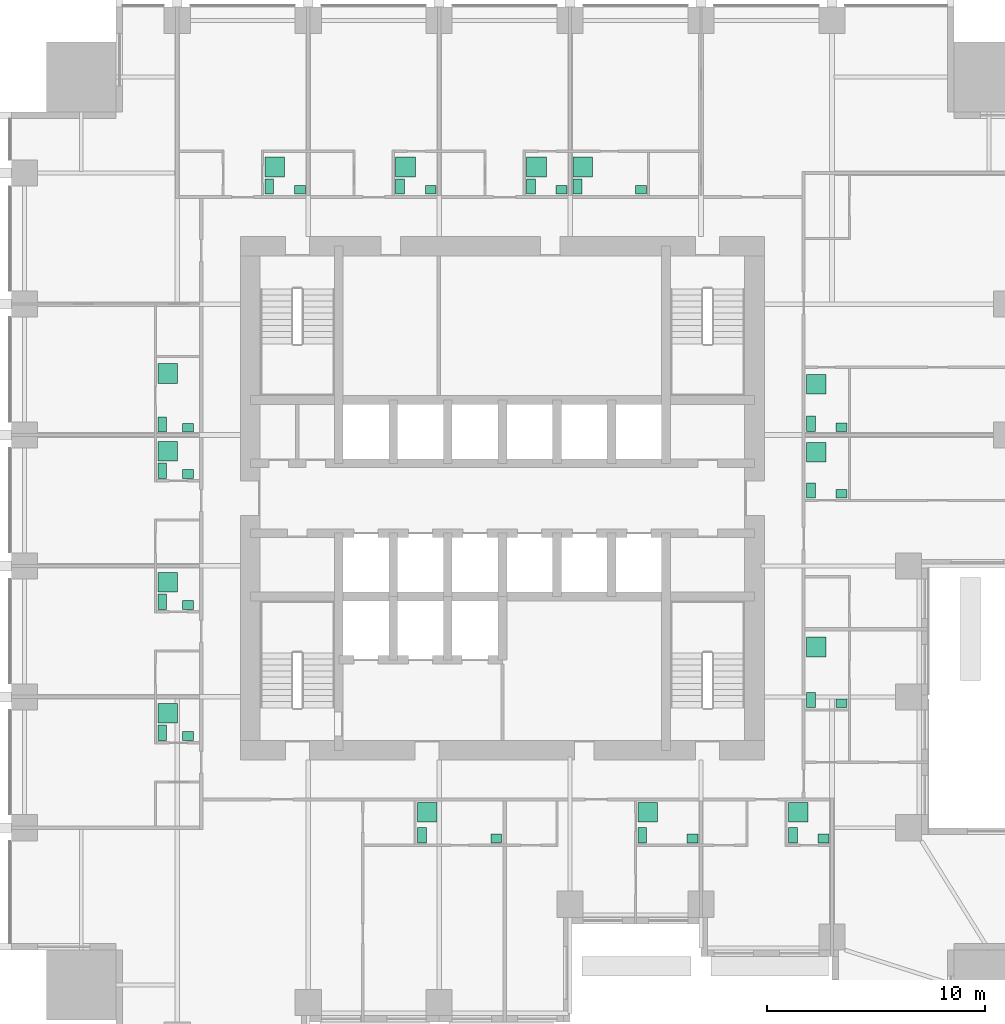
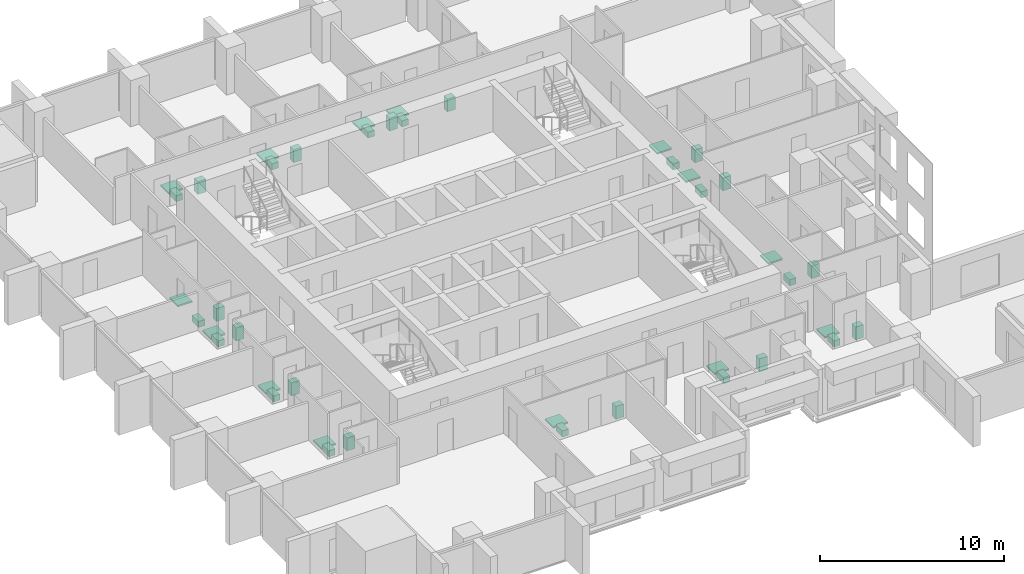
# One storey, part 10 of 10: 42 sanitary terminals.
"""IFC4 building model written with IfcOpenShell, lengths in metres."""

from ifc_helpers import new_model, si_unit, direction, frame, origin, origin_2d, place, context, subcontext, project, spatial, rectangle, extrude, element, save


model = new_model("IFC4")

# Units and contexts
model_context = context("Model", 3, precision=1e-05, world=origin(), true_north=direction((0.0, 1.0)))
body_context = subcontext(model_context, "Body", "Model", "MODEL_VIEW")
ifc_project = project(units=[si_unit("LENGTHUNIT", "METRE"), si_unit("AREAUNIT", "SQUARE_METRE"), si_unit("VOLUMEUNIT", "CUBIC_METRE"), si_unit("PLANEANGLEUNIT", "RADIAN"), si_unit("MASSUNIT", "GRAM", prefix="KILO")], contexts=[model_context])

# Site, building, storey
site_placement = place(None, origin())
site = spatial("IfcSite", under=ifc_project, at=site_placement, CompositionType="ELEMENT")
building_placement = place(site_placement, origin())
building = spatial("IfcBuilding", under=site, at=building_placement, Name="Amberfall Residences", CompositionType="ELEMENT")
storey_placement = place(building_placement, frame((0.0, 0.0, 30.10009765625)))
storey = spatial("IfcBuildingStorey", under=building, at=storey_placement, Name="L07", CompositionType="ELEMENT", Elevation=30.10009765625)

# Sanitary terminals
sanitary_terminal_1_placement = place(storey_placement, frame((70.81005859375, 30.06005859375, 0.0), z_axis=(0.0, 0.0, 1.0), x_axis=(1.0, 0.0, 0.0)))
element("IfcSanitaryTerminal", 1, at=sanitary_terminal_1_placement, inside=storey, Name="Water closet 0701", PredefinedType="TOILETPAN", context=body_context, shape_type="SweptSolid", body=[
    extrude(rectangle(XDim=0.39990234375, YDim=0.699951171875, at=origin_2d()), origin(), (0.0, 0.0, 1.0), 0.39990234375),
])
sanitary_terminal_2_placement = place(storey_placement, frame((74.215087890625, 29.909912109375, -0.000244140625), z_axis=(0.0, 0.0, 1.0), x_axis=(1.0, 0.0, 0.0)))
element("IfcSanitaryTerminal", 2, at=sanitary_terminal_2_placement, inside=storey, Name="Basin 0701", PredefinedType="WASHHANDBASIN", context=body_context, shape_type="SweptSolid", body=[
    extrude(rectangle(XDim=0.5, YDim=0.39990234375, at=origin_2d()), origin(), (0.0, 0.0, 1.0), 0.85009765625),
])
sanitary_terminal_3_placement = place(storey_placement, frame((71.06005859375, 31.114990234375, -0.000244140625), z_axis=(0.0, 0.0, 1.0), x_axis=(1.0, 0.0, 0.0)))
element("IfcSanitaryTerminal", 3, at=sanitary_terminal_3_placement, inside=storey, Name="Shower tray 0701", PredefinedType="SHOWER", context=body_context, shape_type="SweptSolid", body=[
    extrude(rectangle(XDim=0.89990234375, YDim=0.89990234375, at=origin_2d()), origin(), (0.0, 0.0, 1.0), 0.10009765625),
])
sanitary_terminal_4_placement = place(storey_placement, frame((80.909912109375, 30.06005859375, 0.0), z_axis=(0.0, 0.0, 1.0), x_axis=(1.0, 0.0, 0.0)))
element("IfcSanitaryTerminal", 4, at=sanitary_terminal_4_placement, inside=storey, Name="Water closet 0702", PredefinedType="TOILETPAN", context=body_context, shape_type="SweptSolid", body=[
    extrude(rectangle(XDim=0.39990234375, YDim=0.699951171875, at=origin_2d()), origin(), (0.0, 0.0, 1.0), 0.39990234375),
])
sanitary_terminal_5_placement = place(storey_placement, frame((83.215087890625, 29.909912109375, -0.000244140625), z_axis=(0.0, 0.0, 1.0), x_axis=(1.0, 0.0, 0.0)))
element("IfcSanitaryTerminal", 5, at=sanitary_terminal_5_placement, inside=storey, Name="Basin 0702", PredefinedType="WASHHANDBASIN", context=body_context, shape_type="SweptSolid", body=[
    extrude(rectangle(XDim=0.5, YDim=0.39990234375, at=origin_2d()), origin(), (0.0, 0.0, 1.0), 0.85009765625),
])
sanitary_terminal_6_placement = place(storey_placement, frame((81.159912109375, 31.114990234375, -0.000244140625), z_axis=(0.0, 0.0, 1.0), x_axis=(1.0, 0.0, 0.0)))
element("IfcSanitaryTerminal", 6, at=sanitary_terminal_6_placement, inside=storey, Name="Shower tray 0702", PredefinedType="SHOWER", context=body_context, shape_type="SweptSolid", body=[
    extrude(rectangle(XDim=0.89990234375, YDim=0.89990234375, at=origin_2d()), origin(), (0.0, 0.0, 1.0), 0.10009765625),
])
sanitary_terminal_7_placement = place(storey_placement, frame((87.81005859375, 30.06005859375, 0.0), z_axis=(0.0, 0.0, 1.0), x_axis=(1.0, 0.0, 0.0)))
element("IfcSanitaryTerminal", 7, at=sanitary_terminal_7_placement, inside=storey, Name="Water closet 0703", PredefinedType="TOILETPAN", context=body_context, shape_type="SweptSolid", body=[
    extrude(rectangle(XDim=0.39990234375, YDim=0.699951171875, at=origin_2d()), origin(), (0.0, 0.0, 1.0), 0.39990234375),
])
sanitary_terminal_8_placement = place(storey_placement, frame((89.215087890625, 29.909912109375, -0.000244140625), z_axis=(0.0, 0.0, 1.0), x_axis=(1.0, 0.0, 0.0)))
element("IfcSanitaryTerminal", 8, at=sanitary_terminal_8_placement, inside=storey, Name="Basin 0703", PredefinedType="WASHHANDBASIN", context=body_context, shape_type="SweptSolid", body=[
    extrude(rectangle(XDim=0.5, YDim=0.39990234375, at=origin_2d()), origin(), (0.0, 0.0, 1.0), 0.85009765625),
])
sanitary_terminal_9_placement = place(storey_placement, frame((88.06005859375, 31.114990234375, -0.000244140625), z_axis=(0.0, 0.0, 1.0), x_axis=(1.0, 0.0, 0.0)))
element("IfcSanitaryTerminal", 9, at=sanitary_terminal_9_placement, inside=storey, Name="Shower tray 0703", PredefinedType="SHOWER", context=body_context, shape_type="SweptSolid", body=[
    extrude(rectangle(XDim=0.89990234375, YDim=0.89990234375, at=origin_2d()), origin(), (0.0, 0.0, 1.0), 0.10009765625),
])
sanitary_terminal_10_placement = place(storey_placement, frame((88.635009765625, 36.260009765625, 0.0), z_axis=(0.0, 0.0, 1.0), x_axis=(1.0, 0.0, 0.0)))
element("IfcSanitaryTerminal", 10, at=sanitary_terminal_10_placement, inside=storey, Name="Water closet 0704", PredefinedType="TOILETPAN", context=body_context, shape_type="SweptSolid", body=[
    extrude(rectangle(XDim=0.39990234375, YDim=0.699951171875, at=origin_2d()), origin(), (0.0, 0.0, 1.0), 0.39990234375),
])
sanitary_terminal_11_placement = place(storey_placement, frame((90.0400390625, 36.110107421875, -0.000244140625), z_axis=(0.0, 0.0, 1.0), x_axis=(1.0, 0.0, 0.0)))
element("IfcSanitaryTerminal", 11, at=sanitary_terminal_11_placement, inside=storey, Name="Basin 0704", PredefinedType="WASHHANDBASIN", context=body_context, shape_type="SweptSolid", body=[
    extrude(rectangle(XDim=0.5, YDim=0.39990234375, at=origin_2d()), origin(), (0.0, 0.0, 1.0), 0.85009765625),
])
sanitary_terminal_12_placement = place(storey_placement, frame((88.885009765625, 38.6826171875, -0.000244140625), z_axis=(0.0, 0.0, 1.0), x_axis=(1.0, 0.0, 0.0)))
element("IfcSanitaryTerminal", 12, at=sanitary_terminal_12_placement, inside=storey, Name="Shower tray 0704", PredefinedType="SHOWER", context=body_context, shape_type="SweptSolid", body=[
    extrude(rectangle(XDim=0.89990234375, YDim=0.89990234375, at=origin_2d()), origin(), (0.0, 0.0, 1.0), 0.10009765625),
])
sanitary_terminal_13_placement = place(storey_placement, frame((88.635009765625, 45.860107421875, 0.0), z_axis=(0.0, 0.0, 1.0), x_axis=(1.0, 0.0, 0.0)))
element("IfcSanitaryTerminal", 13, at=sanitary_terminal_13_placement, inside=storey, Name="Water closet 0705", PredefinedType="TOILETPAN", context=body_context, shape_type="SweptSolid", body=[
    extrude(rectangle(XDim=0.39990234375, YDim=0.699951171875, at=origin_2d()), origin(), (0.0, 0.0, 1.0), 0.39990234375),
])
sanitary_terminal_14_placement = place(storey_placement, frame((90.0400390625, 45.7099609375, -0.000244140625), z_axis=(0.0, 0.0, 1.0), x_axis=(1.0, 0.0, 0.0)))
element("IfcSanitaryTerminal", 14, at=sanitary_terminal_14_placement, inside=storey, Name="Basin 0705", PredefinedType="WASHHANDBASIN", context=body_context, shape_type="SweptSolid", body=[
    extrude(rectangle(XDim=0.5, YDim=0.39990234375, at=origin_2d()), origin(), (0.0, 0.0, 1.0), 0.85009765625),
])
sanitary_terminal_15_placement = place(storey_placement, frame((88.885009765625, 47.60888671875, -0.000244140625), z_axis=(0.0, 0.0, 1.0), x_axis=(1.0, 0.0, 0.0)))
element("IfcSanitaryTerminal", 15, at=sanitary_terminal_15_placement, inside=storey, Name="Shower tray 0705", PredefinedType="SHOWER", context=body_context, shape_type="SweptSolid", body=[
    extrude(rectangle(XDim=0.89990234375, YDim=0.89990234375, at=origin_2d()), origin(), (0.0, 0.0, 1.0), 0.10009765625),
])
sanitary_terminal_16_placement = place(storey_placement, frame((88.635009765625, 48.909912109375, 0.0), z_axis=(0.0, 0.0, 1.0), x_axis=(1.0, 0.0, 0.0)))
element("IfcSanitaryTerminal", 16, at=sanitary_terminal_16_placement, inside=storey, Name="Water closet 0706", PredefinedType="TOILETPAN", context=body_context, shape_type="SweptSolid", body=[
    extrude(rectangle(XDim=0.39990234375, YDim=0.699951171875, at=origin_2d()), origin(), (0.0, 0.0, 1.0), 0.39990234375),
])
sanitary_terminal_17_placement = place(storey_placement, frame((90.0400390625, 48.760009765625, -0.000244140625), z_axis=(0.0, 0.0, 1.0), x_axis=(1.0, 0.0, 0.0)))
element("IfcSanitaryTerminal", 17, at=sanitary_terminal_17_placement, inside=storey, Name="Basin 0706", PredefinedType="WASHHANDBASIN", context=body_context, shape_type="SweptSolid", body=[
    extrude(rectangle(XDim=0.5, YDim=0.39990234375, at=origin_2d()), origin(), (0.0, 0.0, 1.0), 0.85009765625),
])
sanitary_terminal_18_placement = place(storey_placement, frame((88.885009765625, 50.7255859375, -0.000244140625), z_axis=(0.0, 0.0, 1.0), x_axis=(1.0, 0.0, 0.0)))
element("IfcSanitaryTerminal", 18, at=sanitary_terminal_18_placement, inside=storey, Name="Shower tray 0706", PredefinedType="SHOWER", context=body_context, shape_type="SweptSolid", body=[
    extrude(rectangle(XDim=0.89990234375, YDim=0.89990234375, at=origin_2d()), origin(), (0.0, 0.0, 1.0), 0.10009765625),
])
sanitary_terminal_19_placement = place(storey_placement, frame((63.81005859375, 59.784912109375, 0.0), z_axis=(0.0, 0.0, 1.0), x_axis=(1.0, 0.0, 0.0)))
element("IfcSanitaryTerminal", 19, at=sanitary_terminal_19_placement, inside=storey, Name="Water closet 0707", PredefinedType="TOILETPAN", context=body_context, shape_type="SweptSolid", body=[
    extrude(rectangle(XDim=0.39990234375, YDim=0.699951171875, at=origin_2d()), origin(), (0.0, 0.0, 1.0), 0.39990234375),
])
sanitary_terminal_20_placement = place(storey_placement, frame((65.215087890625, 59.635009765625, -0.000244140625), z_axis=(0.0, 0.0, 1.0), x_axis=(1.0, 0.0, 0.0)))
element("IfcSanitaryTerminal", 20, at=sanitary_terminal_20_placement, inside=storey, Name="Basin 0707", PredefinedType="WASHHANDBASIN", context=body_context, shape_type="SweptSolid", body=[
    extrude(rectangle(XDim=0.5, YDim=0.39990234375, at=origin_2d()), origin(), (0.0, 0.0, 1.0), 0.85009765625),
])
sanitary_terminal_21_placement = place(storey_placement, frame((64.06005859375, 60.680908203125, -0.000244140625), z_axis=(0.0, 0.0, 1.0), x_axis=(1.0, 0.0, 0.0)))
element("IfcSanitaryTerminal", 21, at=sanitary_terminal_21_placement, inside=storey, Name="Shower tray 0707", PredefinedType="SHOWER", context=body_context, shape_type="SweptSolid", body=[
    extrude(rectangle(XDim=0.89990234375, YDim=0.89990234375, at=origin_2d()), origin(), (0.0, 0.0, 1.0), 0.10009765625),
])
sanitary_terminal_22_placement = place(storey_placement, frame((69.81005859375, 59.784912109375, 0.0), z_axis=(0.0, 0.0, 1.0), x_axis=(1.0, 0.0, 0.0)))
element("IfcSanitaryTerminal", 22, at=sanitary_terminal_22_placement, inside=storey, Name="Water closet 0708", PredefinedType="TOILETPAN", context=body_context, shape_type="SweptSolid", body=[
    extrude(rectangle(XDim=0.39990234375, YDim=0.699951171875, at=origin_2d()), origin(), (0.0, 0.0, 1.0), 0.39990234375),
])
sanitary_terminal_23_placement = place(storey_placement, frame((71.215087890625, 59.635009765625, -0.000244140625), z_axis=(0.0, 0.0, 1.0), x_axis=(1.0, 0.0, 0.0)))
element("IfcSanitaryTerminal", 23, at=sanitary_terminal_23_placement, inside=storey, Name="Basin 0708", PredefinedType="WASHHANDBASIN", context=body_context, shape_type="SweptSolid", body=[
    extrude(rectangle(XDim=0.5, YDim=0.39990234375, at=origin_2d()), origin(), (0.0, 0.0, 1.0), 0.85009765625),
])
sanitary_terminal_24_placement = place(storey_placement, frame((70.06005859375, 60.680908203125, -0.000244140625), z_axis=(0.0, 0.0, 1.0), x_axis=(1.0, 0.0, 0.0)))
element("IfcSanitaryTerminal", 24, at=sanitary_terminal_24_placement, inside=storey, Name="Shower tray 0708", PredefinedType="SHOWER", context=body_context, shape_type="SweptSolid", body=[
    extrude(rectangle(XDim=0.89990234375, YDim=0.89990234375, at=origin_2d()), origin(), (0.0, 0.0, 1.0), 0.10009765625),
])
sanitary_terminal_25_placement = place(storey_placement, frame((75.81005859375, 59.784912109375, 0.0), z_axis=(0.0, 0.0, 1.0), x_axis=(1.0, 0.0, 0.0)))
element("IfcSanitaryTerminal", 25, at=sanitary_terminal_25_placement, inside=storey, Name="Water closet 0709", PredefinedType="TOILETPAN", context=body_context, shape_type="SweptSolid", body=[
    extrude(rectangle(XDim=0.39990234375, YDim=0.699951171875, at=origin_2d()), origin(), (0.0, 0.0, 1.0), 0.39990234375),
])
sanitary_terminal_26_placement = place(storey_placement, frame((77.215087890625, 59.635009765625, -0.000244140625), z_axis=(0.0, 0.0, 1.0), x_axis=(1.0, 0.0, 0.0)))
element("IfcSanitaryTerminal", 26, at=sanitary_terminal_26_placement, inside=storey, Name="Basin 0709", PredefinedType="WASHHANDBASIN", context=body_context, shape_type="SweptSolid", body=[
    extrude(rectangle(XDim=0.5, YDim=0.39990234375, at=origin_2d()), origin(), (0.0, 0.0, 1.0), 0.85009765625),
])
sanitary_terminal_27_placement = place(storey_placement, frame((76.06005859375, 60.680908203125, -0.000244140625), z_axis=(0.0, 0.0, 1.0), x_axis=(1.0, 0.0, 0.0)))
element("IfcSanitaryTerminal", 27, at=sanitary_terminal_27_placement, inside=storey, Name="Shower tray 0709", PredefinedType="SHOWER", context=body_context, shape_type="SweptSolid", body=[
    extrude(rectangle(XDim=0.89990234375, YDim=0.89990234375, at=origin_2d()), origin(), (0.0, 0.0, 1.0), 0.10009765625),
])
sanitary_terminal_28_placement = place(storey_placement, frame((77.93505859375, 59.784912109375, 0.0), z_axis=(0.0, 0.0, 1.0), x_axis=(1.0, 0.0, 0.0)))
element("IfcSanitaryTerminal", 28, at=sanitary_terminal_28_placement, inside=storey, Name="Water closet 0710", PredefinedType="TOILETPAN", context=body_context, shape_type="SweptSolid", body=[
    extrude(rectangle(XDim=0.39990234375, YDim=0.699951171875, at=origin_2d()), origin(), (0.0, 0.0, 1.0), 0.39990234375),
])
sanitary_terminal_29_placement = place(storey_placement, frame((80.840087890625, 59.635009765625, -0.000244140625), z_axis=(0.0, 0.0, 1.0), x_axis=(1.0, 0.0, 0.0)))
element("IfcSanitaryTerminal", 29, at=sanitary_terminal_29_placement, inside=storey, Name="Basin 0710", PredefinedType="WASHHANDBASIN", context=body_context, shape_type="SweptSolid", body=[
    extrude(rectangle(XDim=0.5, YDim=0.39990234375, at=origin_2d()), origin(), (0.0, 0.0, 1.0), 0.85009765625),
])
sanitary_terminal_30_placement = place(storey_placement, frame((78.18505859375, 60.680908203125, -0.000244140625), z_axis=(0.0, 0.0, 1.0), x_axis=(1.0, 0.0, 0.0)))
element("IfcSanitaryTerminal", 30, at=sanitary_terminal_30_placement, inside=storey, Name="Shower tray 0710", PredefinedType="SHOWER", context=body_context, shape_type="SweptSolid", body=[
    extrude(rectangle(XDim=0.89990234375, YDim=0.89990234375, at=origin_2d()), origin(), (0.0, 0.0, 1.0), 0.10009765625),
])
sanitary_terminal_31_placement = place(storey_placement, frame((58.909912109375, 34.760009765625, 0.0), z_axis=(0.0, 0.0, 1.0), x_axis=(1.0, 0.0, 0.0)))
element("IfcSanitaryTerminal", 31, at=sanitary_terminal_31_placement, inside=storey, Name="Water closet 0711", PredefinedType="TOILETPAN", context=body_context, shape_type="SweptSolid", body=[
    extrude(rectangle(XDim=0.39990234375, YDim=0.699951171875, at=origin_2d()), origin(), (0.0, 0.0, 1.0), 0.39990234375),
])
sanitary_terminal_32_placement = place(storey_placement, frame((60.089111328125, 34.610107421875, -0.000244140625), z_axis=(0.0, 0.0, 1.0), x_axis=(1.0, 0.0, 0.0)))
element("IfcSanitaryTerminal", 32, at=sanitary_terminal_32_placement, inside=storey, Name="Basin 0711", PredefinedType="WASHHANDBASIN", context=body_context, shape_type="SweptSolid", body=[
    extrude(rectangle(XDim=0.5, YDim=0.39990234375, at=origin_2d()), origin(), (0.0, 0.0, 1.0), 0.85009765625),
])
sanitary_terminal_33_placement = place(storey_placement, frame((59.159912109375, 35.65576171875, -0.000244140625), z_axis=(0.0, 0.0, 1.0), x_axis=(1.0, 0.0, 0.0)))
element("IfcSanitaryTerminal", 33, at=sanitary_terminal_33_placement, inside=storey, Name="Shower tray 0711", PredefinedType="SHOWER", context=body_context, shape_type="SweptSolid", body=[
    extrude(rectangle(XDim=0.89990234375, YDim=0.89990234375, at=origin_2d()), origin(), (0.0, 0.0, 1.0), 0.10009765625),
])
sanitary_terminal_34_placement = place(storey_placement, frame((58.909912109375, 40.760009765625, 0.0), z_axis=(0.0, 0.0, 1.0), x_axis=(1.0, 0.0, 0.0)))
element("IfcSanitaryTerminal", 34, at=sanitary_terminal_34_placement, inside=storey, Name="Water closet 0712", PredefinedType="TOILETPAN", context=body_context, shape_type="SweptSolid", body=[
    extrude(rectangle(XDim=0.39990234375, YDim=0.699951171875, at=origin_2d()), origin(), (0.0, 0.0, 1.0), 0.39990234375),
])
sanitary_terminal_35_placement = place(storey_placement, frame((60.089111328125, 40.610107421875, -0.000244140625), z_axis=(0.0, 0.0, 1.0), x_axis=(1.0, 0.0, 0.0)))
element("IfcSanitaryTerminal", 35, at=sanitary_terminal_35_placement, inside=storey, Name="Basin 0712", PredefinedType="WASHHANDBASIN", context=body_context, shape_type="SweptSolid", body=[
    extrude(rectangle(XDim=0.5, YDim=0.39990234375, at=origin_2d()), origin(), (0.0, 0.0, 1.0), 0.85009765625),
])
sanitary_terminal_36_placement = place(storey_placement, frame((59.159912109375, 41.65576171875, -0.000244140625), z_axis=(0.0, 0.0, 1.0), x_axis=(1.0, 0.0, 0.0)))
element("IfcSanitaryTerminal", 36, at=sanitary_terminal_36_placement, inside=storey, Name="Shower tray 0712", PredefinedType="SHOWER", context=body_context, shape_type="SweptSolid", body=[
    extrude(rectangle(XDim=0.89990234375, YDim=0.89990234375, at=origin_2d()), origin(), (0.0, 0.0, 1.0), 0.10009765625),
])
sanitary_terminal_37_placement = place(storey_placement, frame((58.909912109375, 46.760009765625, 0.0), z_axis=(0.0, 0.0, 1.0), x_axis=(1.0, 0.0, 0.0)))
element("IfcSanitaryTerminal", 37, at=sanitary_terminal_37_placement, inside=storey, Name="Water closet 0713", PredefinedType="TOILETPAN", context=body_context, shape_type="SweptSolid", body=[
    extrude(rectangle(XDim=0.39990234375, YDim=0.699951171875, at=origin_2d()), origin(), (0.0, 0.0, 1.0), 0.39990234375),
])
sanitary_terminal_38_placement = place(storey_placement, frame((60.089111328125, 46.610107421875, -0.000244140625), z_axis=(0.0, 0.0, 1.0), x_axis=(1.0, 0.0, 0.0)))
element("IfcSanitaryTerminal", 38, at=sanitary_terminal_38_placement, inside=storey, Name="Basin 0713", PredefinedType="WASHHANDBASIN", context=body_context, shape_type="SweptSolid", body=[
    extrude(rectangle(XDim=0.5, YDim=0.39990234375, at=origin_2d()), origin(), (0.0, 0.0, 1.0), 0.85009765625),
])
sanitary_terminal_39_placement = place(storey_placement, frame((59.159912109375, 47.65576171875, -0.000244140625), z_axis=(0.0, 0.0, 1.0), x_axis=(1.0, 0.0, 0.0)))
element("IfcSanitaryTerminal", 39, at=sanitary_terminal_39_placement, inside=storey, Name="Shower tray 0713", PredefinedType="SHOWER", context=body_context, shape_type="SweptSolid", body=[
    extrude(rectangle(XDim=0.89990234375, YDim=0.89990234375, at=origin_2d()), origin(), (0.0, 0.0, 1.0), 0.10009765625),
])
sanitary_terminal_40_placement = place(storey_placement, frame((58.909912109375, 48.885009765625, 0.0), z_axis=(0.0, 0.0, 1.0), x_axis=(1.0, 0.0, 0.0)))
element("IfcSanitaryTerminal", 40, at=sanitary_terminal_40_placement, inside=storey, Name="Water closet 0714", PredefinedType="TOILETPAN", context=body_context, shape_type="SweptSolid", body=[
    extrude(rectangle(XDim=0.39990234375, YDim=0.699951171875, at=origin_2d()), origin(), (0.0, 0.0, 1.0), 0.39990234375),
])
sanitary_terminal_41_placement = place(storey_placement, frame((60.089111328125, 48.735107421875, -0.000244140625), z_axis=(0.0, 0.0, 1.0), x_axis=(1.0, 0.0, 0.0)))
element("IfcSanitaryTerminal", 41, at=sanitary_terminal_41_placement, inside=storey, Name="Basin 0714", PredefinedType="WASHHANDBASIN", context=body_context, shape_type="SweptSolid", body=[
    extrude(rectangle(XDim=0.5, YDim=0.39990234375, at=origin_2d()), origin(), (0.0, 0.0, 1.0), 0.85009765625),
])
sanitary_terminal_42_placement = place(storey_placement, frame((59.159912109375, 51.216796875, -0.000244140625), z_axis=(0.0, 0.0, 1.0), x_axis=(1.0, 0.0, 0.0)))
element("IfcSanitaryTerminal", 42, at=sanitary_terminal_42_placement, inside=storey, Name="Shower tray 0714", PredefinedType="SHOWER", context=body_context, shape_type="SweptSolid", body=[
    extrude(rectangle(XDim=0.89990234375, YDim=0.89990234375, at=origin_2d()), origin(), (0.0, 0.0, 1.0), 0.10009765625),
])

save(model, "model.ifc")
